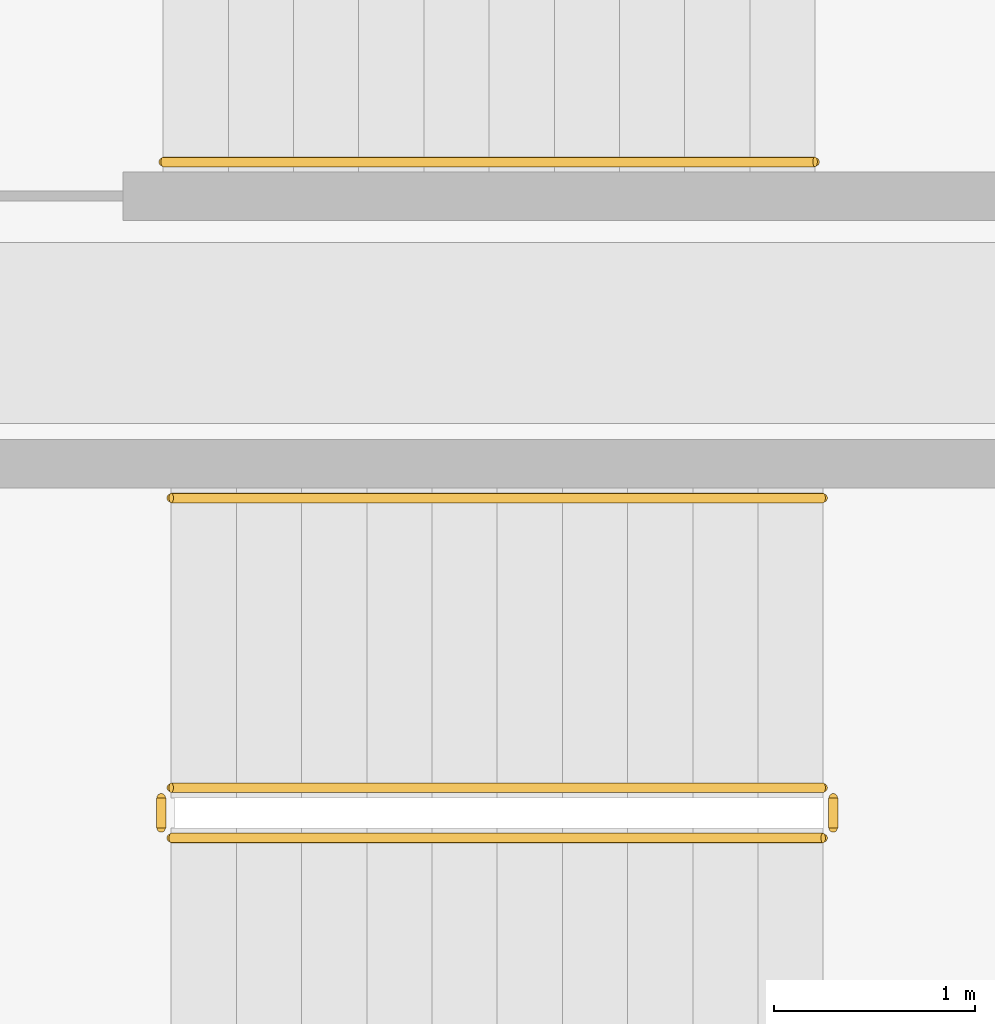
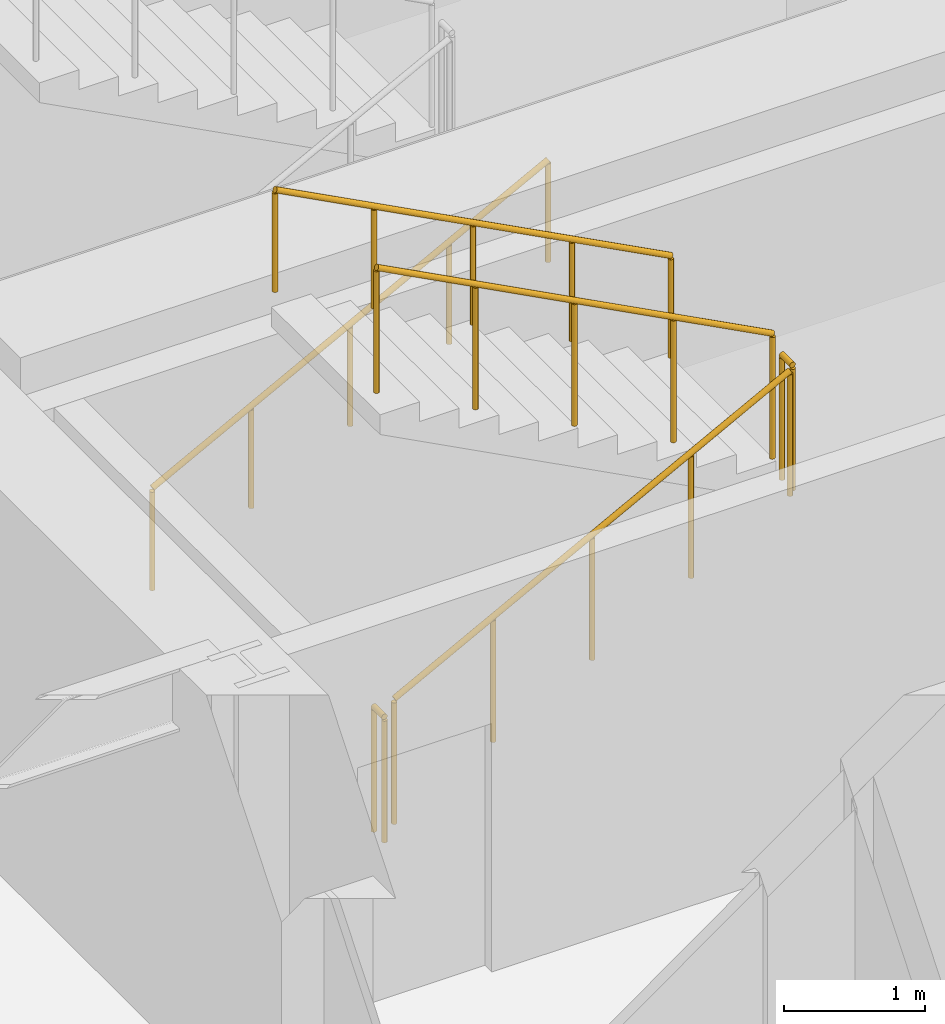
# One storey, part 10 of 12: 6 railings.
"""IFC4 building model written with IfcOpenShell, lengths in metres."""

import ifcopenshell
import ifcopenshell.guid

model = None  # the IFC model being written
_history = None  # IfcOwnerHistory: only IFC2X3 demands one
_inside = {}  # id of a spatial element -> (the spatial element, [elements in it])
_under = {}  # id of a project, library or spatial element -> (it, [spatial elements below it])
_declared = {}  # id of a project -> (the project, [libraries it declares])
_typed = {}  # id of a type object -> (the type object, [elements of that type])
_made_of = {}  # id of a material, layer set ... -> (it, [elements and type objects made of it])


def new_model(schema):
    """Start an empty IFC model of exactly this schema.

    Asked for "IFC4X3", IfcOpenShell would pick the latest addendum, in which some entities
    have other attributes; the version numbers below select the first issue.
    IFC2X3 requires an IfcOwnerHistory on every rooted entity: one is made here for all.
    """
    global model, _history
    if schema == "IFC4X3":
        model = ifcopenshell.file(schema_version=(4, 3, 0, 0))
    else:
        model = ifcopenshell.file(schema=schema)
    _inside.clear()
    _under.clear()
    _declared.clear()
    _typed.clear()
    _made_of.clear()
    _history = None
    if model.schema == "IFC2X3":
        org = make("IfcOrganization", Name="unknown")
        user = make(
            "IfcPersonAndOrganization",
            ThePerson=make("IfcPerson", FamilyName="unknown"),
            TheOrganization=org,
        )
        app = make(
            "IfcApplication",
            ApplicationDeveloper=org,
            Version="unknown",
            ApplicationFullName="unknown",
            ApplicationIdentifier="unknown",
        )
        _history = make(
            "IfcOwnerHistory",
            OwningUser=user,
            OwningApplication=app,
            ChangeAction="ADDED",
            CreationDate=0,
        )
    return model


def make(cls, **values):
    """One entity of the class cls with the attributes given. An attribute that is None is left unset."""
    return model.create_entity(
        cls, **{name: value for name, value in values.items() if value is not None}
    )


def rooted(cls, **values):
    """An entity with a GlobalId (a new one), such as an element, a storey or a relation."""
    return make(cls, GlobalId=ifcopenshell.guid.new(), OwnerHistory=_history, **values)


def si_unit(unit_type, name, prefix=None):
    """IfcSIUnit, for example si_unit("LENGTHUNIT", "METRE", prefix="MILLI")."""
    return make("IfcSIUnit", UnitType=unit_type, Prefix=prefix, Name=name)


def assignment(units):
    """IfcUnitAssignment: the units of a project."""
    return None if units is None else make("IfcUnitAssignment", Units=units)


def point(xyz):
    """IfcCartesianPoint."""
    return None if xyz is None else make("IfcCartesianPoint", Coordinates=xyz)


def direction(xyz):
    """IfcDirection."""
    return None if xyz is None else make("IfcDirection", DirectionRatios=xyz)


def frame(location, z_axis=None, x_axis=None):
    """IfcAxis2Placement3D, a coordinate frame: its origin and axes. An axis left out is left unset."""
    return make(
        "IfcAxis2Placement3D",
        Location=point(location),
        Axis=direction(z_axis),
        RefDirection=direction(x_axis),
    )


def frame_2d(location, x_axis=None):
    """IfcAxis2Placement2D, a coordinate frame in the plane: its origin and x axis."""
    return make(
        "IfcAxis2Placement2D", Location=point(location), RefDirection=direction(x_axis)
    )


def origin():
    """The frame at (0, 0, 0) with its axes left unset."""
    return frame((0.0, 0.0, 0.0))


def origin_2d():
    """The frame at (0, 0) in the plane with its x axis left unset."""
    return frame_2d((0.0, 0.0))


def place(relative_to, where):
    """IfcLocalPlacement: puts the frame where relative to a parent placement (None: the world)."""
    return make(
        "IfcLocalPlacement", PlacementRelTo=relative_to, RelativePlacement=where
    )


def context(
    kind, dimensions, precision=None, world=None, true_north=None, identifier=None
):
    """IfcGeometricRepresentationContext, for example the 3D "Model" context."""
    return make(
        "IfcGeometricRepresentationContext",
        ContextIdentifier=identifier,
        ContextType=kind,
        CoordinateSpaceDimension=dimensions,
        Precision=precision,
        WorldCoordinateSystem=world,
        TrueNorth=true_north,
    )


def subcontext(parent, identifier, kind, view, scale=None):
    """IfcGeometricRepresentationSubContext, for example "Body" below "Model"."""
    return make(
        "IfcGeometricRepresentationSubContext",
        ContextIdentifier=identifier,
        ContextType=kind,
        ParentContext=parent,
        TargetScale=scale,
        TargetView=view,
    )


def project(units=None, contexts=None):
    """IfcProject with its units and contexts."""
    return rooted(
        "IfcProject",
        Name="project",
        RepresentationContexts=contexts,
        UnitsInContext=assignment(units),
    )


def spatial(cls, under=None, at=None, **own):
    """A site, building, storey or space (cls), placed at a placement, below another one or the project."""
    s = rooted(cls, ObjectPlacement=at, **own)
    if under is not None:
        _under.setdefault(under.id(), (under, []))[1].append(s)
    return s


def profile(cls, at=None, kind="AREA", **sizes):
    """A parametric profile (cls). Its sizes go by their IFC names, for example OverallWidth=200.0."""
    return make(cls, ProfileType=kind, Position=at, **sizes)


def circle(**sizes):
    """IfcCircleProfileDef."""
    return profile("IfcCircleProfileDef", **sizes)


def extrude(swept, where, along, depth):
    """IfcExtrudedAreaSolid: the profile swept, set in the frame where, extruded along a direction by depth."""
    return make(
        "IfcExtrudedAreaSolid",
        SweptArea=swept,
        Position=where,
        ExtrudedDirection=direction(along),
        Depth=depth,
    )


def shape(context_of_items, identifier, shape_type, items):
    """IfcShapeRepresentation: the items that make up one representation, for example the "Body"."""
    return make(
        "IfcShapeRepresentation",
        ContextOfItems=context_of_items,
        RepresentationIdentifier=identifier,
        RepresentationType=shape_type,
        Items=items,
    )


def material(Name=None, Category=None):
    """IfcMaterial."""
    return make("IfcMaterial", Name=Name, Category=Category)


def made_of(thing, what):
    """Note that an element or type object is made of a material, layer set ...; save() writes the relation."""
    if what is not None:
        _made_of.setdefault(what.id(), (what, []))[1].append(thing)
    return thing


def type_object(cls, material=None, **own):
    """A type object (cls), such as IfcWallType, which elements share."""
    return made_of(rooted(cls, **own), material)


def element(
    cls,
    number,
    at=None,
    inside=None,
    cuts=None,
    type_object=None,
    material=None,
    context=None,
    identifier="Body",
    shape_type=None,
    held_by="IfcProductDefinitionShape",
    body=None,
    shapes=None,
    **own,
):
    """One element of the class cls, such as IfcWall. Its Tag is "e" and its number.

    at: its placement. inside: the storey or other place that contains it. cuts: it is an
    opening in that element (IfcRelVoidsElement). A single representation is given by context,
    identifier, shape_type and body (its items); several are given by shapes. held_by: the class
    of the entity that holds the representations. save() writes the other relations.
    """
    e = rooted(cls, Tag="e%d" % number, ObjectPlacement=at, **own)
    if body is not None:
        shapes = [shape(context, identifier, shape_type, body)]
    if shapes is not None:
        e.Representation = make(held_by, Representations=shapes)
    if inside is not None:
        _inside.setdefault(inside.id(), (inside, []))[1].append(e)
    if cuts is not None:
        rooted(
            "IfcRelVoidsElement", RelatingBuildingElement=cuts, RelatedOpeningElement=e
        )
    if type_object is not None:
        _typed.setdefault(type_object.id(), (type_object, []))[1].append(e)
    return made_of(e, material)


def aggregate(whole, parts):
    """IfcRelAggregates: a whole, such as a stair, and the parts it consists of."""
    return rooted("IfcRelAggregates", RelatingObject=whole, RelatedObjects=parts)


def save(model, path):
    """Write the relations noted so far, then the file.

    IfcRelAggregates (storeys below a building ...), IfcRelContainedInSpatialStructure (elements
    in a storey), IfcRelDefinesByType, IfcRelAssociatesMaterial and IfcRelDeclares: one each for
    every whole, place, type object, material and project.
    """
    for whole, parts in _under.values():
        aggregate(whole, parts)
    for where, things in _inside.values():
        rooted(
            "IfcRelContainedInSpatialStructure",
            RelatedElements=things,
            RelatingStructure=where,
        )
    for kind, things in _typed.values():
        rooted("IfcRelDefinesByType", RelatedObjects=things, RelatingType=kind)
    for what, things in _made_of.values():
        rooted("IfcRelAssociatesMaterial", RelatedObjects=things, RelatingMaterial=what)
    for by, libraries in _declared.values():
        rooted("IfcRelDeclares", RelatingContext=by, RelatedDefinitions=libraries)
    model.write(path)


model = new_model("IFC4")

# Units and contexts
model_context = context("Model", 3, precision=1e-05, world=origin(), true_north=direction((0.0, 1.0)))
body_context = subcontext(model_context, "Body", "Model", "MODEL_VIEW")
ifc_project = project(units=[si_unit("LENGTHUNIT", "METRE"), si_unit("AREAUNIT", "SQUARE_METRE"), si_unit("VOLUMEUNIT", "CUBIC_METRE"), si_unit("PLANEANGLEUNIT", "RADIAN"), si_unit("MASSUNIT", "GRAM", prefix="KILO")], contexts=[model_context])

# Site, building, storey
site_placement = place(None, origin())
site = spatial("IfcSite", under=ifc_project, at=site_placement, CompositionType="ELEMENT")
building_placement = place(site_placement, origin())
building = spatial("IfcBuilding", under=site, at=building_placement, Name="Kolvaren Arena Tower", CompositionType="ELEMENT")
storey_placement = place(building_placement, frame((0.0, 0.0, 149.5)))
storey = spatial("IfcBuildingStorey", under=building, at=storey_placement, Name="L35", CompositionType="ELEMENT", Elevation=149.5)

# Railings
ifc_material_1 = material(Name="Painted galvanized steel", Category="steel")
railing_type_1 = type_object("IfcRailingType", Name="GUARD-ST-110", PredefinedType="GUARDRAIL", material=ifc_material_1)
railing_1_placement = place(storey_placement, frame((52.719970703125, 31.639892578125, 0.17041015625)))
element("IfcRailing", 1, at=railing_1_placement, inside=storey, type_object=railing_type_1, Name="L35 ST-E1 stair guard 1", PredefinedType="GUARDRAIL", context=body_context, shape_type="SweptSolid", body=[
    extrude(circle(Radius=0.02392578125, at=origin_2d()), frame((0.0, 0.0, 1.076171875), z_axis=(0.884993431791, 0.0, 0.465603506952), x_axis=(0.0, 1.0, 0.0)), (0.0, 0.0, 1.0), 3.6611328125),
    extrude(circle(Radius=0.02099609375, at=origin_2d()), origin(), (0.0, 0.0, 1.0), 1.052001953125),
    extrude(circle(Radius=0.02099609375, at=origin_2d()), frame((0.81005859375, 0.0, 0.42626953125)), (0.0, 0.0, 1.0), 1.052001953125),
    extrude(circle(Radius=0.02099609375, at=origin_2d()), frame((1.6201171875, 0.0, 0.852294921875)), (0.0, 0.0, 1.0), 1.052001953125),
    extrude(circle(Radius=0.02099609375, at=origin_2d()), frame((2.429931640625, 0.0, 1.2783203125)), (0.0, 0.0, 1.0), 1.052001953125),
    extrude(circle(Radius=0.02099609375, at=origin_2d()), frame((3.239990234375, 0.0, 1.70458984375)), (0.0, 0.0, 1.0), 1.052001953125),
])
railing_2_placement = place(storey_placement, frame((56.010009765625, 31.68994140625, 1.875)))
element("IfcRailing", 2, at=railing_2_placement, inside=storey, type_object=railing_type_1, Name="L35 ST-E1 stair guard 2", PredefinedType="GUARDRAIL", context=body_context, shape_type="SweptSolid", body=[
    extrude(circle(Radius=0.02392578125, at=origin_2d()), frame((0.0, 0.0, 1.076171875), z_axis=(0.0, 1.0, 0.0), x_axis=(-1.0, 0.0, 0.0)), (0.0, 0.0, 1.0), 0.150146484375),
    extrude(circle(Radius=0.02099609375, at=origin_2d()), origin(), (0.0, 0.0, 1.0), 1.052001953125),
    extrude(circle(Radius=0.02099609375, at=origin_2d()), frame((0.0, 0.150146484375, 0.0)), (0.0, 0.0, 1.0), 1.052001953125),
])
railing_3_placement = place(storey_placement, frame((55.9599609375, 31.889892578125, 2.04541015625)))
element("IfcRailing", 3, at=railing_3_placement, inside=storey, type_object=railing_type_1, Name="L35 ST-E1 stair guard 3", PredefinedType="GUARDRAIL", context=body_context, shape_type="SweptSolid", body=[
    extrude(circle(Radius=0.02392578125, at=origin_2d()), frame((0.0, 0.0, 1.076171875), z_axis=(-0.884993431791, 0.0, 0.465603506952), x_axis=(0.0, -1.0, 0.0)), (0.0, 0.0, 1.0), 3.6611328125),
    extrude(circle(Radius=0.02099609375, at=origin_2d()), origin(), (0.0, 0.0, 1.0), 1.052001953125),
    extrude(circle(Radius=0.02099609375, at=origin_2d()), frame((-0.81005859375, 0.0, 0.42626953125)), (0.0, 0.0, 1.0), 1.052001953125),
    extrude(circle(Radius=0.02099609375, at=origin_2d()), frame((-1.6201171875, 0.0, 0.852294921875)), (0.0, 0.0, 1.0), 1.052001953125),
    extrude(circle(Radius=0.02099609375, at=origin_2d()), frame((-2.429931640625, 0.0, 1.2783203125)), (0.0, 0.0, 1.0), 1.052001953125),
    extrude(circle(Radius=0.02099609375, at=origin_2d()), frame((-3.239990234375, 0.0, 1.70458984375)), (0.0, 0.0, 1.0), 1.052001953125),
])
railing_4_placement = place(storey_placement, frame((52.669921875, 31.68994140625, 0.0)))
element("IfcRailing", 4, at=railing_4_placement, inside=storey, type_object=railing_type_1, Name="L35 ST-E1 stair guard 4", PredefinedType="GUARDRAIL", context=body_context, shape_type="SweptSolid", body=[
    extrude(circle(Radius=0.02392578125, at=origin_2d()), frame((0.0, 0.0, 1.076171875), z_axis=(0.0, 1.0, 0.0), x_axis=(-1.0, 0.0, 0.0)), (0.0, 0.0, 1.0), 0.150146484375),
    extrude(circle(Radius=0.02099609375, at=origin_2d()), origin(), (0.0, 0.0, 1.0), 1.052001953125),
    extrude(circle(Radius=0.02099609375, at=origin_2d()), frame((0.0, 0.150146484375, 0.0)), (0.0, 0.0, 1.0), 1.052001953125),
])
ifc_material_2 = material(Name="Brushed stainless steel handrail", Category="steel")
railing_type_2 = type_object("IfcRailingType", Name="HRAIL-900", PredefinedType="HANDRAIL", material=ifc_material_2)
railing_5_placement = place(storey_placement, frame((55.9599609375, 33.330078125, 2.04541015625)))
element("IfcRailing", 5, at=railing_5_placement, inside=storey, type_object=railing_type_2, Name="L35 ST-E1 stair handrail 2", PredefinedType="HANDRAIL", context=body_context, shape_type="SweptSolid", body=[
    extrude(circle(Radius=0.02392578125, at=origin_2d()), frame((0.0, 0.0, 0.8759765625), z_axis=(-0.884993431791, 0.0, 0.465603506952), x_axis=(0.0, -1.0, 0.0)), (0.0, 0.0, 1.0), 3.6611328125),
    extrude(circle(Radius=0.02099609375, at=origin_2d()), origin(), (0.0, 0.0, 1.0), 0.851806640625),
    extrude(circle(Radius=0.02099609375, at=origin_2d()), frame((-0.81005859375, 0.0, 0.42626953125)), (0.0, 0.0, 1.0), 0.851806640625),
    extrude(circle(Radius=0.02099609375, at=origin_2d()), frame((-1.6201171875, 0.0, 0.852294921875)), (0.0, 0.0, 1.0), 0.851806640625),
    extrude(circle(Radius=0.02099609375, at=origin_2d()), frame((-2.429931640625, 0.0, 1.2783203125)), (0.0, 0.0, 1.0), 0.851806640625),
    extrude(circle(Radius=0.02099609375, at=origin_2d()), frame((-3.239990234375, 0.0, 1.70458984375)), (0.0, 0.0, 1.0), 0.851806640625),
])
railing_6_placement = place(storey_placement, frame((52.679931640625, 35.0, 0.17041015625)))
element("IfcRailing", 6, at=railing_6_placement, inside=storey, type_object=railing_type_2, Name="L35 ST-E2 stair handrail 1", PredefinedType="HANDRAIL", context=body_context, shape_type="SweptSolid", body=[
    extrude(circle(Radius=0.02392578125, at=origin_2d()), frame((0.0, 0.0, 0.8759765625), z_axis=(0.884993431791, 0.0, 0.465603506952), x_axis=(0.0, 1.0, 0.0)), (0.0, 0.0, 1.0), 3.6611328125),
    extrude(circle(Radius=0.02099609375, at=origin_2d()), origin(), (0.0, 0.0, 1.0), 0.851806640625),
    extrude(circle(Radius=0.02099609375, at=origin_2d()), frame((0.81005859375, 0.0, 0.42626953125)), (0.0, 0.0, 1.0), 0.851806640625),
    extrude(circle(Radius=0.02099609375, at=origin_2d()), frame((1.6201171875, 0.0, 0.852294921875)), (0.0, 0.0, 1.0), 0.851806640625),
    extrude(circle(Radius=0.02099609375, at=origin_2d()), frame((2.429931640625, 0.0, 1.2783203125)), (0.0, 0.0, 1.0), 0.851806640625),
    extrude(circle(Radius=0.02099609375, at=origin_2d()), frame((3.239990234375, 0.0, 1.70458984375)), (0.0, 0.0, 1.0), 0.851806640625),
])

save(model, "model.ifc")
